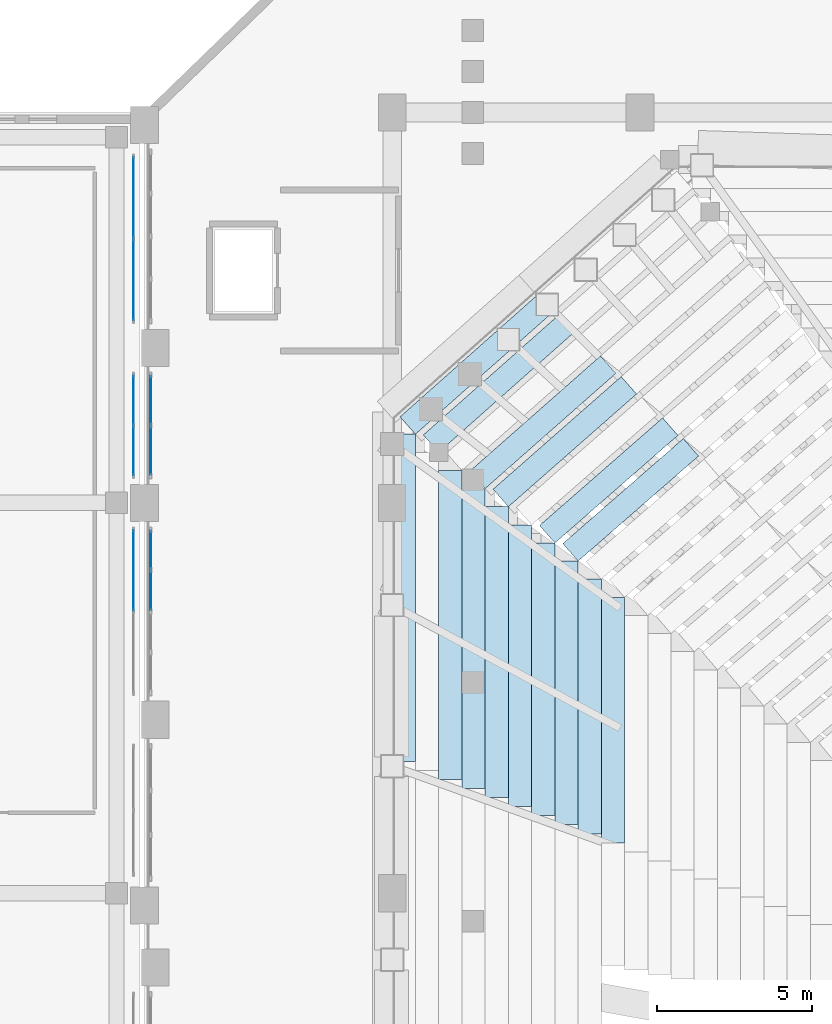
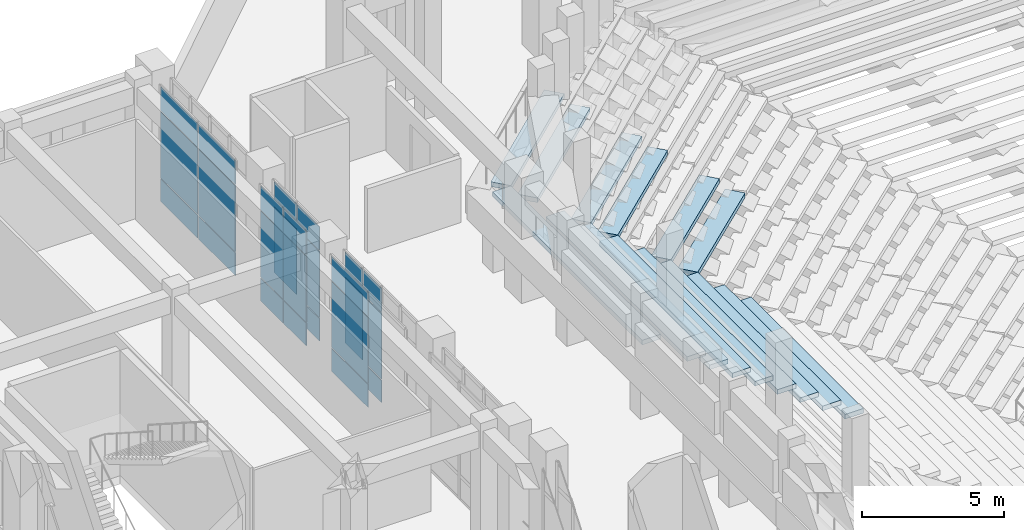
# One storey, part 100 of 159: 27 plates, 15 slabs, 5 elements without a shape of their own.
"""IFC4 building model written with IfcOpenShell, lengths in metres."""

from ifc_helpers import new_model, si_unit, derived_unit, direction, frame, origin, origin_2d, place, context, subcontext, project, spatial, polyline, rectangle, outline, extrude, material, layer, layer_set, type_object, element, aggregate, save


model = new_model("IFC4")

# Units and contexts
model_context = context("Model", 3, precision=1e-05, world=origin(), true_north=direction((0.0, 1.0)))
body_context = subcontext(model_context, "Body", "Model", "MODEL_VIEW")
ifc_project = project(units=[si_unit("LENGTHUNIT", "METRE"), si_unit("AREAUNIT", "SQUARE_METRE"), si_unit("VOLUMEUNIT", "CUBIC_METRE"), si_unit("PLANEANGLEUNIT", "RADIAN"), si_unit("MASSUNIT", "GRAM", prefix="KILO"), derived_unit("THERMALTRANSMITTANCEUNIT", [(si_unit("MASSUNIT", "GRAM", prefix="KILO"), 1), (si_unit("TIMEUNIT", "SECOND"), -3), (si_unit("THERMODYNAMICTEMPERATUREUNIT", "KELVIN"), -1)])], contexts=[model_context])

# Site, building, storey
site_placement = place(None, origin())
site = spatial("IfcSite", under=ifc_project, at=site_placement, CompositionType="ELEMENT")
building_placement = place(site_placement, origin())
building = spatial("IfcBuilding", under=site, at=building_placement, Name="Valcora Ridge Arena", CompositionType="ELEMENT")
storey_placement = place(building_placement, frame((0.0, 0.0, 6.0)))
storey = spatial("IfcBuildingStorey", under=building, at=storey_placement, Name="L01", CompositionType="ELEMENT", Elevation=6.0)

# Curtain wall, plates
ifc_material_1 = material(Name="Anodised dark bronze architectural aluminium 6063-T6", Category="aluminium")
ifc_layer_1 = layer(ifc_material_1, 0.179931640625, Name="Anodised dark bronze architectural aluminium 6063-T6")
ifc_layer_set_1 = layer_set([ifc_layer_1], Name="Anodised dark bronze architectural aluminium 6063-T6")
curtain_wall_type_1 = type_object("IfcCurtainWallType", Name="TY-CURTAINWALL-CW-V1-GOTH-053X50", PredefinedType="NOTDEFINED", material=ifc_layer_set_1)
curtain_wall_1_placement = place(storey_placement, origin())
curtain_wall_1 = element("IfcCurtainWall", 1, at=curtain_wall_1_placement, inside=storey, type_object=curtain_wall_type_1, Name="CW-V1-GOTH-053X50 CW-0095", PredefinedType="NOTDEFINED")
ifc_material_2 = material(Name="Low-iron solar-control double glazing SHGC 0.28", Category="glass")
ifc_layer_2 = layer(ifc_material_2, 0.031982421875, Name="Low-iron solar-control double glazing SHGC 0.28")
ifc_layer_set_2 = layer_set([ifc_layer_2], Name="Low-iron solar-control double glazing SHGC 0.28")
plate_type_1 = type_object("IfcPlateType", Name="TY-PLT-CWP-1240X0960", PredefinedType="CURTAIN_PANEL", material=ifc_layer_set_2)
plate_1_placement = place(storey_placement, frame((16.199951171875, 81.47998046875, 0.06005859375), z_axis=(0.0, 0.0, 1.0), x_axis=(0.0, 1.0, 0.0)))
plate_1 = element("IfcPlate", 2, at=plate_1_placement, type_object=plate_type_1, Name="CW-0095/P03-00", PredefinedType="CURTAIN_PANEL", context=body_context, shape_type="SweptSolid", body=[
    extrude(rectangle(XDim=1.239990234375, YDim=0.031982421875, at=origin_2d()), origin(), (0.0, 0.0, 1.0), 0.9599609375),
])
ifc_layer_3 = layer(ifc_material_2, 0.031982421875, Name="Low-iron solar-control double glazing SHGC 0.28")
ifc_layer_set_3 = layer_set([ifc_layer_3], Name="Low-iron solar-control double glazing SHGC 0.28")
plate_type_2 = type_object("IfcPlateType", Name="TY-PLT-CWP-1240X1010", PredefinedType="CURTAIN_PANEL", material=ifc_layer_set_3)
plate_2_placement = place(storey_placement, frame((16.199951171875, 81.47998046875, 3.97021484375), z_axis=(0.0, 0.0, 1.0), x_axis=(0.0, 1.0, 0.0)))
plate_2 = element("IfcPlate", 3, at=plate_2_placement, type_object=plate_type_2, Name="CW-0095/P03-02", PredefinedType="CURTAIN_PANEL", context=body_context, shape_type="SweptSolid", body=[
    extrude(rectangle(XDim=1.239990234375, YDim=0.031982421875, at=origin_2d()), origin(), (0.0, 0.0, 1.0), 1.010009765625),
])
ifc_layer_4 = layer(ifc_material_2, 0.031982421875, Name="Low-iron solar-control double glazing SHGC 0.28")
ifc_layer_set_4 = layer_set([ifc_layer_4], Name="Low-iron solar-control double glazing SHGC 0.28")
plate_type_3 = type_object("IfcPlateType", Name="TY-PLT-CWP-1240X2830", PredefinedType="CURTAIN_PANEL", material=ifc_layer_set_4)
plate_3_placement = place(storey_placement, frame((16.199951171875, 81.47998046875, 1.080078125), z_axis=(0.0, 0.0, 1.0), x_axis=(0.0, 1.0, 0.0)))
plate_3 = element("IfcPlate", 4, at=plate_3_placement, type_object=plate_type_3, Name="CW-0095/P03-01", PredefinedType="CURTAIN_PANEL", context=body_context, shape_type="SweptSolid", body=[
    extrude(rectangle(XDim=1.239990234375, YDim=0.031982421875, at=origin_2d()), origin(), (0.0, 0.0, 1.0), 2.830078125),
])
ifc_layer_5 = layer(ifc_material_2, 0.031982421875, Name="Low-iron solar-control double glazing SHGC 0.28")
ifc_layer_set_5 = layer_set([ifc_layer_5], Name="Low-iron solar-control double glazing SHGC 0.28")
plate_type_4 = type_object("IfcPlateType", Name="TY-PLT-CWP-1270X0960", PredefinedType="CURTAIN_PANEL", material=ifc_layer_set_5)
plate_4_placement = place(storey_placement, frame((16.199951171875, 80.1650390625, 0.06005859375), z_axis=(0.0, 0.0, 1.0), x_axis=(0.0, 1.0, 0.0)))
plate_4 = element("IfcPlate", 5, at=plate_4_placement, type_object=plate_type_4, Name="CW-0095/P02-00", PredefinedType="CURTAIN_PANEL", context=body_context, shape_type="SweptSolid", body=[
    extrude(rectangle(XDim=1.27001953125, YDim=0.031982421875, at=origin_2d()), origin(), (0.0, 0.0, 1.0), 0.9599609375),
])
ifc_layer_6 = layer(ifc_material_2, 0.031982421875, Name="Low-iron solar-control double glazing SHGC 0.28")
ifc_layer_set_6 = layer_set([ifc_layer_6], Name="Low-iron solar-control double glazing SHGC 0.28")
plate_type_5 = type_object("IfcPlateType", Name="TY-PLT-CWP-1270X1010", PredefinedType="CURTAIN_PANEL", material=ifc_layer_set_6)
plate_5_placement = place(storey_placement, frame((16.199951171875, 80.1650390625, 3.97021484375), z_axis=(0.0, 0.0, 1.0), x_axis=(0.0, 1.0, 0.0)))
plate_5 = element("IfcPlate", 6, at=plate_5_placement, type_object=plate_type_5, Name="CW-0095/P02-02", PredefinedType="CURTAIN_PANEL", context=body_context, shape_type="SweptSolid", body=[
    extrude(rectangle(XDim=1.27001953125, YDim=0.031982421875, at=origin_2d()), origin(), (0.0, 0.0, 1.0), 1.010009765625),
])
ifc_layer_7 = layer(ifc_material_2, 0.031982421875, Name="Low-iron solar-control double glazing SHGC 0.28")
ifc_layer_set_7 = layer_set([ifc_layer_7], Name="Low-iron solar-control double glazing SHGC 0.28")
plate_type_6 = type_object("IfcPlateType", Name="TY-PLT-CWP-1270X2830", PredefinedType="CURTAIN_PANEL", material=ifc_layer_set_7)
plate_6_placement = place(storey_placement, frame((16.199951171875, 80.1650390625, 1.080078125), z_axis=(0.0, 0.0, 1.0), x_axis=(0.0, 1.0, 0.0)))
plate_6 = element("IfcPlate", 7, at=plate_6_placement, type_object=plate_type_6, Name="CW-0095/P02-01", PredefinedType="CURTAIN_PANEL", context=body_context, shape_type="SweptSolid", body=[
    extrude(rectangle(XDim=1.27001953125, YDim=0.031982421875, at=origin_2d()), origin(), (0.0, 0.0, 1.0), 2.830078125),
])
aggregate(curtain_wall_1, [plate_4, plate_6, plate_5, plate_1, plate_3, plate_2])

ifc_layer_8 = layer(ifc_material_1, 0.179931640625, Name="Anodised dark bronze architectural aluminium 6063-T6")
ifc_layer_set_8 = layer_set([ifc_layer_8], Name="Anodised dark bronze architectural aluminium 6063-T6")
curtain_wall_type_2 = type_object("IfcCurtainWallType", Name="TY-CURTAINWALL-CW-V1-GOTH-033X50", PredefinedType="NOTDEFINED", material=ifc_layer_set_8)
curtain_wall_2_placement = place(storey_placement, origin())
curtain_wall_2 = element("IfcCurtainWall", 8, at=curtain_wall_2_placement, inside=storey, type_object=curtain_wall_type_2, Name="CW-V1-GOTH-033X50 CW-0096", PredefinedType="NOTDEFINED")
ifc_layer_9 = layer(ifc_material_2, 0.031982421875, Name="Low-iron solar-control double glazing SHGC 0.28")
ifc_layer_set_9 = layer_set([ifc_layer_9], Name="Low-iron solar-control double glazing SHGC 0.28")
plate_type_7 = type_object("IfcPlateType", Name="TY-PLT-CWP-1570X0960", PredefinedType="CURTAIN_PANEL", material=ifc_layer_set_9)
plate_7_placement = place(storey_placement, frame((16.199951171875, 84.68505859375, 0.06005859375), z_axis=(0.0, 0.0, 1.0), x_axis=(0.0, 1.0, 0.0)))
plate_7 = element("IfcPlate", 9, at=plate_7_placement, type_object=plate_type_7, Name="CW-0096/P00-00", PredefinedType="CURTAIN_PANEL", context=body_context, shape_type="SweptSolid", body=[
    extrude(rectangle(XDim=1.570068359375, YDim=0.031982421875, at=origin_2d()), origin(), (0.0, 0.0, 1.0), 0.9599609375),
])
plate_8_placement = place(storey_placement, frame((16.199951171875, 86.31494140625, 0.06005859375), z_axis=(0.0, 0.0, 1.0), x_axis=(0.0, 1.0, 0.0)))
plate_8 = element("IfcPlate", 10, at=plate_8_placement, type_object=plate_type_7, Name="CW-0096/P01-00", PredefinedType="CURTAIN_PANEL", context=body_context, shape_type="SweptSolid", body=[
    extrude(rectangle(XDim=1.570068359375, YDim=0.031982421875, at=origin_2d()), origin(), (0.0, 0.0, 1.0), 0.9599609375),
])
ifc_layer_10 = layer(ifc_material_2, 0.031982421875, Name="Low-iron solar-control double glazing SHGC 0.28")
ifc_layer_set_10 = layer_set([ifc_layer_10], Name="Low-iron solar-control double glazing SHGC 0.28")
plate_type_8 = type_object("IfcPlateType", Name="TY-PLT-CWP-1570X1010", PredefinedType="CURTAIN_PANEL", material=ifc_layer_set_10)
plate_9_placement = place(storey_placement, frame((16.199951171875, 84.68505859375, 3.97021484375), z_axis=(0.0, 0.0, 1.0), x_axis=(0.0, 1.0, 0.0)))
plate_9 = element("IfcPlate", 11, at=plate_9_placement, type_object=plate_type_8, Name="CW-0096/P00-02", PredefinedType="CURTAIN_PANEL", context=body_context, shape_type="SweptSolid", body=[
    extrude(rectangle(XDim=1.570068359375, YDim=0.031982421875, at=origin_2d()), origin(), (0.0, 0.0, 1.0), 1.010009765625),
])
plate_10_placement = place(storey_placement, frame((16.199951171875, 86.31494140625, 3.97021484375), z_axis=(0.0, 0.0, 1.0), x_axis=(0.0, 1.0, 0.0)))
plate_10 = element("IfcPlate", 12, at=plate_10_placement, type_object=plate_type_8, Name="CW-0096/P01-02", PredefinedType="CURTAIN_PANEL", context=body_context, shape_type="SweptSolid", body=[
    extrude(rectangle(XDim=1.570068359375, YDim=0.031982421875, at=origin_2d()), origin(), (0.0, 0.0, 1.0), 1.010009765625),
])
ifc_layer_11 = layer(ifc_material_2, 0.031982421875, Name="Low-iron solar-control double glazing SHGC 0.28")
ifc_layer_set_11 = layer_set([ifc_layer_11], Name="Low-iron solar-control double glazing SHGC 0.28")
plate_type_9 = type_object("IfcPlateType", Name="TY-PLT-CWP-1570X2830", PredefinedType="CURTAIN_PANEL", material=ifc_layer_set_11)
plate_11_placement = place(storey_placement, frame((16.199951171875, 84.68505859375, 1.080078125), z_axis=(0.0, 0.0, 1.0), x_axis=(0.0, 1.0, 0.0)))
plate_11 = element("IfcPlate", 13, at=plate_11_placement, type_object=plate_type_9, Name="CW-0096/P00-01", PredefinedType="CURTAIN_PANEL", context=body_context, shape_type="SweptSolid", body=[
    extrude(rectangle(XDim=1.570068359375, YDim=0.031982421875, at=origin_2d()), origin(), (0.0, 0.0, 1.0), 2.830078125),
])
plate_12_placement = place(storey_placement, frame((16.199951171875, 86.31494140625, 1.080078125), z_axis=(0.0, 0.0, 1.0), x_axis=(0.0, 1.0, 0.0)))
plate_12 = element("IfcPlate", 14, at=plate_12_placement, type_object=plate_type_9, Name="CW-0096/P01-01", PredefinedType="CURTAIN_PANEL", context=body_context, shape_type="SweptSolid", body=[
    extrude(rectangle(XDim=1.570068359375, YDim=0.031982421875, at=origin_2d()), origin(), (0.0, 0.0, 1.0), 2.830078125),
])
aggregate(curtain_wall_2, [plate_7, plate_11, plate_9, plate_8, plate_12, plate_10])

ifc_layer_12 = layer(ifc_material_1, 0.14990234375, Name="Anodised dark bronze architectural aluminium 6063-T6")
ifc_layer_set_12 = layer_set([ifc_layer_12], Name="Anodised dark bronze architectural aluminium 6063-T6")
curtain_wall_type_3 = type_object("IfcCurtainWallType", Name="TY-CURTAINWALL-CW-V4-CLUB-033X50", PredefinedType="NOTDEFINED", material=ifc_layer_set_12)
curtain_wall_3_placement = place(storey_placement, origin())
curtain_wall_3 = element("IfcCurtainWall", 15, at=curtain_wall_3_placement, inside=storey, type_object=curtain_wall_type_3, Name="CW-V4-CLUB-033X50 CW-0235", PredefinedType="NOTDEFINED")
ifc_layer_13 = layer(ifc_material_2, 0.028076171875, Name="Low-iron solar-control double glazing SHGC 0.28")
ifc_layer_set_13 = layer_set([ifc_layer_13], Name="Low-iron solar-control double glazing SHGC 0.28")
plate_type_10 = type_object("IfcPlateType", Name="TY-PLT-CWP-1585X0975", PredefinedType="CURTAIN_PANEL", material=ifc_layer_set_13)
plate_13_placement = place(storey_placement, frame((15.64990234375, 84.6826171875, 0.050048828125), z_axis=(0.0, 0.0, 1.0), x_axis=(0.0, 1.0, 0.0)))
plate_13 = element("IfcPlate", 16, at=plate_13_placement, type_object=plate_type_10, Name="CW-0235/P00-00", PredefinedType="CURTAIN_PANEL", context=body_context, shape_type="SweptSolid", body=[
    extrude(rectangle(XDim=1.5849609375, YDim=0.028076171875, at=origin_2d()), origin(), (0.0, 0.0, 1.0), 0.97509765625),
])
plate_14_placement = place(storey_placement, frame((15.64990234375, 86.3173828125, 0.050048828125), z_axis=(0.0, 0.0, 1.0), x_axis=(0.0, 1.0, 0.0)))
plate_14 = element("IfcPlate", 17, at=plate_14_placement, type_object=plate_type_10, Name="CW-0235/P01-00", PredefinedType="CURTAIN_PANEL", context=body_context, shape_type="SweptSolid", body=[
    extrude(rectangle(XDim=1.5849609375, YDim=0.028076171875, at=origin_2d()), origin(), (0.0, 0.0, 1.0), 0.97509765625),
])
ifc_layer_14 = layer(ifc_material_2, 0.028076171875, Name="Low-iron solar-control double glazing SHGC 0.28")
ifc_layer_set_14 = layer_set([ifc_layer_14], Name="Low-iron solar-control double glazing SHGC 0.28")
plate_type_11 = type_object("IfcPlateType", Name="TY-PLT-CWP-1585X1025", PredefinedType="CURTAIN_PANEL", material=ifc_layer_set_14)
plate_15_placement = place(storey_placement, frame((15.64990234375, 84.6826171875, 3.965087890625), z_axis=(0.0, 0.0, 1.0), x_axis=(0.0, 1.0, 0.0)))
plate_15 = element("IfcPlate", 18, at=plate_15_placement, type_object=plate_type_11, Name="CW-0235/P00-02", PredefinedType="CURTAIN_PANEL", context=body_context, shape_type="SweptSolid", body=[
    extrude(rectangle(XDim=1.5849609375, YDim=0.028076171875, at=origin_2d()), origin(), (0.0, 0.0, 1.0), 1.02490234375),
])
plate_16_placement = place(storey_placement, frame((15.64990234375, 86.3173828125, 3.965087890625), z_axis=(0.0, 0.0, 1.0), x_axis=(0.0, 1.0, 0.0)))
plate_16 = element("IfcPlate", 19, at=plate_16_placement, type_object=plate_type_11, Name="CW-0235/P01-02", PredefinedType="CURTAIN_PANEL", context=body_context, shape_type="SweptSolid", body=[
    extrude(rectangle(XDim=1.5849609375, YDim=0.028076171875, at=origin_2d()), origin(), (0.0, 0.0, 1.0), 1.02490234375),
])
ifc_layer_15 = layer(ifc_material_2, 0.028076171875, Name="Low-iron solar-control double glazing SHGC 0.28")
ifc_layer_set_15 = layer_set([ifc_layer_15], Name="Low-iron solar-control double glazing SHGC 0.28")
plate_type_12 = type_object("IfcPlateType", Name="TY-PLT-CWP-1585X2840", PredefinedType="CURTAIN_PANEL", material=ifc_layer_set_15)
plate_17_placement = place(storey_placement, frame((15.64990234375, 84.6826171875, 1.0751953125), z_axis=(0.0, 0.0, 1.0), x_axis=(0.0, 1.0, 0.0)))
plate_17 = element("IfcPlate", 20, at=plate_17_placement, type_object=plate_type_12, Name="CW-0235/P00-01", PredefinedType="CURTAIN_PANEL", context=body_context, shape_type="SweptSolid", body=[
    extrude(rectangle(XDim=1.5849609375, YDim=0.028076171875, at=origin_2d()), origin(), (0.0, 0.0, 1.0), 2.840087890625),
])
plate_18_placement = place(storey_placement, frame((15.64990234375, 86.3173828125, 1.0751953125), z_axis=(0.0, 0.0, 1.0), x_axis=(0.0, 1.0, 0.0)))
plate_18 = element("IfcPlate", 21, at=plate_18_placement, type_object=plate_type_12, Name="CW-0235/P01-01", PredefinedType="CURTAIN_PANEL", context=body_context, shape_type="SweptSolid", body=[
    extrude(rectangle(XDim=1.5849609375, YDim=0.028076171875, at=origin_2d()), origin(), (0.0, 0.0, 1.0), 2.840087890625),
])
aggregate(curtain_wall_3, [plate_13, plate_17, plate_15, plate_14, plate_18, plate_16])

ifc_layer_16 = layer(ifc_material_1, 0.14990234375, Name="Anodised dark bronze architectural aluminium 6063-T6")
ifc_layer_set_16 = layer_set([ifc_layer_16], Name="Anodised dark bronze architectural aluminium 6063-T6")
curtain_wall_type_4 = type_object("IfcCurtainWallType", Name="TY-CURTAINWALL-CW-V4-CLUB-053X50", PredefinedType="NOTDEFINED", material=ifc_layer_set_16)
curtain_wall_4_placement = place(storey_placement, origin())
curtain_wall_4 = element("IfcCurtainWall", 22, at=curtain_wall_4_placement, inside=storey, type_object=curtain_wall_type_4, Name="CW-V4-CLUB-053X50 CW-0234", PredefinedType="NOTDEFINED")
ifc_layer_17 = layer(ifc_material_2, 0.028076171875, Name="Low-iron solar-control double glazing SHGC 0.28")
ifc_layer_set_17 = layer_set([ifc_layer_17], Name="Low-iron solar-control double glazing SHGC 0.28")
plate_type_13 = type_object("IfcPlateType", Name="TY-PLT-CWP-2585X0975", PredefinedType="CURTAIN_PANEL", material=ifc_layer_set_17)
plate_19_placement = place(storey_placement, frame((15.64990234375, 80.8173828125, 0.050048828125), z_axis=(0.0, 0.0, 1.0), x_axis=(0.0, 1.0, 0.0)))
plate_19 = element("IfcPlate", 23, at=plate_19_placement, type_object=plate_type_13, Name="CW-0234/P01-00", PredefinedType="CURTAIN_PANEL", context=body_context, shape_type="SweptSolid", body=[
    extrude(rectangle(XDim=2.5849609375, YDim=0.028076171875, at=origin_2d()), origin(), (0.0, 0.0, 1.0), 0.97509765625),
])
ifc_layer_18 = layer(ifc_material_2, 0.028076171875, Name="Low-iron solar-control double glazing SHGC 0.28")
ifc_layer_set_18 = layer_set([ifc_layer_18], Name="Low-iron solar-control double glazing SHGC 0.28")
plate_type_14 = type_object("IfcPlateType", Name="TY-PLT-CWP-2585X1025", PredefinedType="CURTAIN_PANEL", material=ifc_layer_set_18)
plate_20_placement = place(storey_placement, frame((15.64990234375, 80.8173828125, 3.965087890625), z_axis=(0.0, 0.0, 1.0), x_axis=(0.0, 1.0, 0.0)))
plate_20 = element("IfcPlate", 24, at=plate_20_placement, type_object=plate_type_14, Name="CW-0234/P01-02", PredefinedType="CURTAIN_PANEL", context=body_context, shape_type="SweptSolid", body=[
    extrude(rectangle(XDim=2.5849609375, YDim=0.028076171875, at=origin_2d()), origin(), (0.0, 0.0, 1.0), 1.02490234375),
])
ifc_layer_19 = layer(ifc_material_2, 0.028076171875, Name="Low-iron solar-control double glazing SHGC 0.28")
ifc_layer_set_19 = layer_set([ifc_layer_19], Name="Low-iron solar-control double glazing SHGC 0.28")
plate_type_15 = type_object("IfcPlateType", Name="TY-PLT-CWP-2585X2840", PredefinedType="CURTAIN_PANEL", material=ifc_layer_set_19)
plate_21_placement = place(storey_placement, frame((15.64990234375, 80.8173828125, 1.0751953125), z_axis=(0.0, 0.0, 1.0), x_axis=(0.0, 1.0, 0.0)))
plate_21 = element("IfcPlate", 25, at=plate_21_placement, type_object=plate_type_15, Name="CW-0234/P01-01", PredefinedType="CURTAIN_PANEL", context=body_context, shape_type="SweptSolid", body=[
    extrude(rectangle(XDim=2.5849609375, YDim=0.028076171875, at=origin_2d()), origin(), (0.0, 0.0, 1.0), 2.840087890625),
])
aggregate(curtain_wall_4, [plate_19, plate_21, plate_20])

ifc_layer_20 = layer(ifc_material_1, 0.14990234375, Name="Anodised dark bronze architectural aluminium 6063-T6")
ifc_layer_set_20 = layer_set([ifc_layer_20], Name="Anodised dark bronze architectural aluminium 6063-T6")
curtain_wall_type_5 = type_object("IfcCurtainWallType", Name="TY-CURTAINWALL-CW-V4-CLUB-054X50", PredefinedType="NOTDEFINED", material=ifc_layer_set_20)
curtain_wall_5_placement = place(storey_placement, origin())
curtain_wall_5 = element("IfcCurtainWall", 26, at=curtain_wall_5_placement, inside=storey, type_object=curtain_wall_type_5, Name="CW-V4-CLUB-054X50 CW-0236", PredefinedType="NOTDEFINED")
ifc_layer_21 = layer(ifc_material_2, 0.028076171875, Name="Low-iron solar-control double glazing SHGC 0.28")
ifc_layer_set_21 = layer_set([ifc_layer_21], Name="Low-iron solar-control double glazing SHGC 0.28")
plate_type_16 = type_object("IfcPlateType", Name="TY-PLT-CWP-2610X0975", PredefinedType="CURTAIN_PANEL", material=ifc_layer_set_21)
plate_22_placement = place(storey_placement, frame((15.64990234375, 90.195068359375, 0.050048828125), z_axis=(0.0, 0.0, 1.0), x_axis=(0.0, 1.0, 0.0)))
plate_22 = element("IfcPlate", 27, at=plate_22_placement, type_object=plate_type_16, Name="CW-0236/P00-00", PredefinedType="CURTAIN_PANEL", context=body_context, shape_type="SweptSolid", body=[
    extrude(rectangle(XDim=2.610107421875, YDim=0.028076171875, at=origin_2d()), origin(), (0.0, 0.0, 1.0), 0.97509765625),
])
plate_23_placement = place(storey_placement, frame((15.64990234375, 92.85498046875, 0.050048828125), z_axis=(0.0, 0.0, 1.0), x_axis=(0.0, 1.0, 0.0)))
plate_23 = element("IfcPlate", 28, at=plate_23_placement, type_object=plate_type_16, Name="CW-0236/P01-00", PredefinedType="CURTAIN_PANEL", context=body_context, shape_type="SweptSolid", body=[
    extrude(rectangle(XDim=2.610107421875, YDim=0.028076171875, at=origin_2d()), origin(), (0.0, 0.0, 1.0), 0.97509765625),
])
ifc_layer_22 = layer(ifc_material_2, 0.028076171875, Name="Low-iron solar-control double glazing SHGC 0.28")
ifc_layer_set_22 = layer_set([ifc_layer_22], Name="Low-iron solar-control double glazing SHGC 0.28")
plate_type_17 = type_object("IfcPlateType", Name="TY-PLT-CWP-2610X1025", PredefinedType="CURTAIN_PANEL", material=ifc_layer_set_22)
plate_24_placement = place(storey_placement, frame((15.64990234375, 90.195068359375, 3.965087890625), z_axis=(0.0, 0.0, 1.0), x_axis=(0.0, 1.0, 0.0)))
plate_24 = element("IfcPlate", 29, at=plate_24_placement, type_object=plate_type_17, Name="CW-0236/P00-02", PredefinedType="CURTAIN_PANEL", context=body_context, shape_type="SweptSolid", body=[
    extrude(rectangle(XDim=2.610107421875, YDim=0.028076171875, at=origin_2d()), origin(), (0.0, 0.0, 1.0), 1.02490234375),
])
plate_25_placement = place(storey_placement, frame((15.64990234375, 92.85498046875, 3.965087890625), z_axis=(0.0, 0.0, 1.0), x_axis=(0.0, 1.0, 0.0)))
plate_25 = element("IfcPlate", 30, at=plate_25_placement, type_object=plate_type_17, Name="CW-0236/P01-02", PredefinedType="CURTAIN_PANEL", context=body_context, shape_type="SweptSolid", body=[
    extrude(rectangle(XDim=2.610107421875, YDim=0.028076171875, at=origin_2d()), origin(), (0.0, 0.0, 1.0), 1.02490234375),
])
ifc_layer_23 = layer(ifc_material_2, 0.028076171875, Name="Low-iron solar-control double glazing SHGC 0.28")
ifc_layer_set_23 = layer_set([ifc_layer_23], Name="Low-iron solar-control double glazing SHGC 0.28")
plate_type_18 = type_object("IfcPlateType", Name="TY-PLT-CWP-2610X2840", PredefinedType="CURTAIN_PANEL", material=ifc_layer_set_23)
plate_26_placement = place(storey_placement, frame((15.64990234375, 90.195068359375, 1.0751953125), z_axis=(0.0, 0.0, 1.0), x_axis=(0.0, 1.0, 0.0)))
plate_26 = element("IfcPlate", 31, at=plate_26_placement, type_object=plate_type_18, Name="CW-0236/P00-01", PredefinedType="CURTAIN_PANEL", context=body_context, shape_type="SweptSolid", body=[
    extrude(rectangle(XDim=2.610107421875, YDim=0.028076171875, at=origin_2d()), origin(), (0.0, 0.0, 1.0), 2.840087890625),
])
plate_27_placement = place(storey_placement, frame((15.64990234375, 92.85498046875, 1.0751953125), z_axis=(0.0, 0.0, 1.0), x_axis=(0.0, 1.0, 0.0)))
plate_27 = element("IfcPlate", 32, at=plate_27_placement, type_object=plate_type_18, Name="CW-0236/P01-01", PredefinedType="CURTAIN_PANEL", context=body_context, shape_type="SweptSolid", body=[
    extrude(rectangle(XDim=2.610107421875, YDim=0.028076171875, at=origin_2d()), origin(), (0.0, 0.0, 1.0), 2.840087890625),
])
aggregate(curtain_wall_5, [plate_22, plate_26, plate_24, plate_23, plate_27, plate_25])

# Slabs
ifc_material_3 = material(Name="Precast concrete C45/55", Category="concrete")
ifc_layer_24 = layer(ifc_material_3, 0.199951171875, Name="Precast concrete C45/55")
ifc_layer_set_24 = layer_set([ifc_layer_24], Name="Precast concrete C45/55")
slab_type_1 = type_object("IfcSlabType", Name="TY-SLAB-ST-LOW-L052", PredefinedType="USERDEFINED", material=ifc_layer_set_24)
slab_1_placement = place(storey_placement, frame((0.0, 0.0, -0.320068359375)))
element("IfcSlab", 33, at=slab_1_placement, inside=storey, type_object=slab_type_1, Name="ST-LOW-L052 SLB-TR-0306", ObjectType="SEATING TIER", PredefinedType="USERDEFINED", context=body_context, shape_type="SweptSolid", body=[
    extrude(outline(polyline([(33.889892578125, 84.510009765625), (30.0, 81.1201171875), (29.50732421875, 81.685302734375), (33.397216796875, 85.075439453125), (33.889892578125, 84.510009765625)])), origin(), (0.0, 0.0, 1.0), 0.199951171875),
])
ifc_layer_25 = layer(ifc_material_3, 0.199951171875, Name="Precast concrete C45/55")
ifc_layer_set_25 = layer_set([ifc_layer_25], Name="Precast concrete C45/55")
slab_type_2 = type_object("IfcSlabType", Name="TY-SLAB-ST-LOW-L053", PredefinedType="USERDEFINED", material=ifc_layer_set_25)
slab_2_placement = place(storey_placement, frame((0.0, 0.0, 0.1201171875)))
element("IfcSlab", 34, at=slab_2_placement, inside=storey, type_object=slab_type_2, Name="ST-LOW-L053 SLB-TR-0330", ObjectType="SEATING TIER", PredefinedType="USERDEFINED", context=body_context, shape_type="SweptSolid", body=[
    extrude(outline(polyline([(33.222412109375, 85.177490234375), (29.25, 81.705078125), (28.75634765625, 82.269775390625), (32.72900390625, 85.7421875), (33.222412109375, 85.177490234375)])), origin(), (0.0, 0.0, 1.0), 0.199951171875),
])
ifc_layer_26 = layer(ifc_material_3, 0.199951171875, Name="Precast concrete C45/55")
ifc_layer_set_26 = layer_set([ifc_layer_26], Name="Precast concrete C45/55")
slab_type_3 = type_object("IfcSlabType", Name="TY-SLAB-ST-LOW-L055", PredefinedType="USERDEFINED", material=ifc_layer_set_26)
slab_3_placement = place(storey_placement, frame((0.0, 0.0, 1.0)))
element("IfcSlab", 35, at=slab_3_placement, inside=storey, type_object=slab_type_3, Name="ST-LOW-L055 SLB-TR-0378", ObjectType="SEATING TIER", PredefinedType="USERDEFINED", context=body_context, shape_type="SweptSolid", body=[
    extrude(outline(polyline([(31.887451171875, 86.512451171875), (27.75, 82.875), (27.2548828125, 83.438232421875), (31.392333984375, 87.07568359375), (31.887451171875, 86.512451171875)])), origin(), (0.0, 0.0, 1.0), 0.199951171875),
])
ifc_layer_27 = layer(ifc_material_3, 0.199951171875, Name="Precast concrete C45/55")
ifc_layer_set_27 = layer_set([ifc_layer_27], Name="Precast concrete C45/55")
slab_type_4 = type_object("IfcSlabType", Name="TY-SLAB-ST-LOW-L056", PredefinedType="USERDEFINED", material=ifc_layer_set_27)
slab_4_placement = place(storey_placement, frame((0.0, 0.0, 1.43994140625)))
element("IfcSlab", 36, at=slab_4_placement, inside=storey, type_object=slab_type_4, Name="ST-LOW-L056 SLB-TR-0402", ObjectType="SEATING TIER", PredefinedType="USERDEFINED", context=body_context, shape_type="SweptSolid", body=[
    extrude(outline(polyline([(31.219970703125, 87.179931640625), (27.0, 83.4599609375), (26.50390625, 84.022705078125), (30.72412109375, 87.74267578125), (31.219970703125, 87.179931640625)])), origin(), (0.0, 0.0, 1.0), 0.199951171875),
])
ifc_layer_28 = layer(ifc_material_3, 0.199951171875, Name="Precast concrete C45/55")
ifc_layer_set_28 = layer_set([ifc_layer_28], Name="Precast concrete C45/55")
slab_type_5 = type_object("IfcSlabType", Name="TY-SLAB-ST-LOW-L059", PredefinedType="USERDEFINED", material=ifc_layer_set_28)
slab_5_placement = place(storey_placement, frame((0.0, 0.0, 2.320068359375)))
element("IfcSlab", 37, at=slab_5_placement, inside=storey, type_object=slab_type_5, Name="ST-LOW-L059 SLB-TR-0450", ObjectType="SEATING TIER", PredefinedType="USERDEFINED", context=body_context, shape_type="SweptSolid", body=[
    extrude(outline(polyline([(29.885009765625, 88.514892578125), (25.5, 84.6298828125), (25.002685546875, 85.19140625), (29.3876953125, 89.076416015625), (29.885009765625, 88.514892578125)])), origin(), (0.0, 0.0, 1.0), 0.199951171875),
])
ifc_layer_29 = layer(ifc_material_3, 0.199951171875, Name="Precast concrete C45/55")
ifc_layer_set_29 = layer_set([ifc_layer_29], Name="Precast concrete C45/55")
slab_type_6 = type_object("IfcSlabType", Name="TY-SLAB-ST-LOW-L060", PredefinedType="USERDEFINED", material=ifc_layer_set_29)
slab_6_placement = place(storey_placement, frame((0.0, 0.0, 2.760009765625)))
element("IfcSlab", 38, at=slab_6_placement, inside=storey, type_object=slab_type_6, Name="ST-LOW-L060 SLB-TR-0474", ObjectType="SEATING TIER", PredefinedType="USERDEFINED", context=body_context, shape_type="SweptSolid", body=[
    extrude(outline(polyline([(29.217529296875, 89.1826171875), (24.75, 85.215087890625), (24.251953125, 85.77587890625), (28.719482421875, 89.743408203125), (29.217529296875, 89.1826171875)])), origin(), (0.0, 0.0, 1.0), 0.199951171875),
])
ifc_layer_30 = layer(ifc_material_3, 0.199951171875, Name="Precast concrete C45/55")
ifc_layer_set_30 = layer_set([ifc_layer_30], Name="Precast concrete C45/55")
slab_type_7 = type_object("IfcSlabType", Name="TY-SLAB-ST-LOW-L079", PredefinedType="USERDEFINED", material=ifc_layer_set_30)
slab_7_placement = place(storey_placement, frame((0.0, 0.0, -1.199951171875)))
element("IfcSlab", 39, at=slab_7_placement, inside=storey, type_object=slab_type_7, Name="ST-LOW-L079 SLB-TR-0259", ObjectType="SEATING TIER", PredefinedType="USERDEFINED", context=body_context, shape_type="SweptSolid", body=[
    extrude(outline(polyline([(31.5, 79.949951171875), (31.5, 72.02490234375), (30.75, 72.02490234375), (30.75, 79.949951171875), (31.5, 79.949951171875)])), origin(), (0.0, 0.0, 1.0), 0.199951171875),
])
ifc_layer_31 = layer(ifc_material_3, 0.199951171875, Name="Precast concrete C45/55")
ifc_layer_set_31 = layer_set([ifc_layer_31], Name="Precast concrete C45/55")
slab_type_8 = type_object("IfcSlabType", Name="TY-SLAB-ST-LOW-L082", PredefinedType="USERDEFINED", material=ifc_layer_set_31)
slab_8_placement = place(storey_placement, frame((0.0, 0.0, -0.760009765625)))
element("IfcSlab", 40, at=slab_8_placement, inside=storey, type_object=slab_type_8, Name="ST-LOW-L082 SLB-TR-0283", ObjectType="SEATING TIER", PredefinedType="USERDEFINED", context=body_context, shape_type="SweptSolid", body=[
    extrude(outline(polyline([(30.75, 80.534912109375), (30.75, 72.3173828125), (30.0, 72.3173828125), (30.0, 80.534912109375), (30.75, 80.534912109375)])), origin(), (0.0, 0.0, 1.0), 0.199951171875),
])
ifc_layer_32 = layer(ifc_material_3, 0.199951171875, Name="Precast concrete C45/55")
ifc_layer_set_32 = layer_set([ifc_layer_32], Name="Precast concrete C45/55")
slab_type_9 = type_object("IfcSlabType", Name="TY-SLAB-ST-LOW-L085", PredefinedType="USERDEFINED", material=ifc_layer_set_32)
slab_9_placement = place(storey_placement, frame((0.0, 0.0, -0.320068359375)))
element("IfcSlab", 41, at=slab_9_placement, inside=storey, type_object=slab_type_9, Name="ST-LOW-L085 SLB-TR-0307", ObjectType="SEATING TIER", PredefinedType="USERDEFINED", context=body_context, shape_type="SweptSolid", body=[
    extrude(outline(polyline([(30.0, 81.1201171875), (30.0, 72.610107421875), (29.25, 72.610107421875), (29.25, 81.1201171875), (30.0, 81.1201171875)])), origin(), (0.0, 0.0, 1.0), 0.199951171875),
])
ifc_layer_33 = layer(ifc_material_3, 0.199951171875, Name="Precast concrete C45/55")
ifc_layer_set_33 = layer_set([ifc_layer_33], Name="Precast concrete C45/55")
slab_type_10 = type_object("IfcSlabType", Name="TY-SLAB-ST-LOW-L088", PredefinedType="USERDEFINED", material=ifc_layer_set_33)
slab_10_placement = place(storey_placement, frame((0.0, 0.0, 0.1201171875)))
element("IfcSlab", 42, at=slab_10_placement, inside=storey, type_object=slab_type_10, Name="ST-LOW-L088 SLB-TR-0331", ObjectType="SEATING TIER", PredefinedType="USERDEFINED", context=body_context, shape_type="SweptSolid", body=[
    extrude(outline(polyline([(29.25, 81.705078125), (29.25, 72.902587890625), (28.5, 72.902587890625), (28.5, 81.705078125), (29.25, 81.705078125)])), origin(), (0.0, 0.0, 1.0), 0.199951171875),
])
ifc_layer_34 = layer(ifc_material_3, 0.199951171875, Name="Precast concrete C45/55")
ifc_layer_set_34 = layer_set([ifc_layer_34], Name="Precast concrete C45/55")
slab_type_11 = type_object("IfcSlabType", Name="TY-SLAB-ST-LOW-L091", PredefinedType="USERDEFINED", material=ifc_layer_set_34)
slab_11_placement = place(storey_placement, frame((0.0, 0.0, 0.56005859375)))
element("IfcSlab", 43, at=slab_11_placement, inside=storey, type_object=slab_type_11, Name="ST-LOW-L091 SLB-TR-0355", ObjectType="SEATING TIER", PredefinedType="USERDEFINED", context=body_context, shape_type="SweptSolid", body=[
    extrude(outline(polyline([(28.5, 82.2900390625), (28.5, 73.195068359375), (27.75, 73.195068359375), (27.75, 82.2900390625), (28.5, 82.2900390625)])), origin(), (0.0, 0.0, 1.0), 0.199951171875),
])
ifc_layer_35 = layer(ifc_material_3, 0.199951171875, Name="Precast concrete C45/55")
ifc_layer_set_35 = layer_set([ifc_layer_35], Name="Precast concrete C45/55")
slab_type_12 = type_object("IfcSlabType", Name="TY-SLAB-ST-LOW-L094", PredefinedType="USERDEFINED", material=ifc_layer_set_35)
slab_12_placement = place(storey_placement, frame((0.0, 0.0, 1.0)))
element("IfcSlab", 44, at=slab_12_placement, inside=storey, type_object=slab_type_12, Name="ST-LOW-L094 SLB-TR-0379", ObjectType="SEATING TIER", PredefinedType="USERDEFINED", context=body_context, shape_type="SweptSolid", body=[
    extrude(outline(polyline([(27.75, 82.875), (27.75, 73.487548828125), (27.0, 73.487548828125), (27.0, 82.875), (27.75, 82.875)])), origin(), (0.0, 0.0, 1.0), 0.199951171875),
])
ifc_layer_36 = layer(ifc_material_3, 0.199951171875, Name="Precast concrete C45/55")
ifc_layer_set_36 = layer_set([ifc_layer_36], Name="Precast concrete C45/55")
slab_type_13 = type_object("IfcSlabType", Name="TY-SLAB-ST-LOW-L097", PredefinedType="USERDEFINED", material=ifc_layer_set_36)
slab_13_placement = place(storey_placement, frame((0.0, 0.0, 1.43994140625)))
element("IfcSlab", 45, at=slab_13_placement, inside=storey, type_object=slab_type_13, Name="ST-LOW-L097 SLB-TR-0403", ObjectType="SEATING TIER", PredefinedType="USERDEFINED", context=body_context, shape_type="SweptSolid", body=[
    extrude(outline(polyline([(27.0, 83.4599609375), (27.0, 73.780029296875), (26.25, 73.780029296875), (26.25, 83.4599609375), (27.0, 83.4599609375)])), origin(), (0.0, 0.0, 1.0), 0.199951171875),
])
ifc_layer_37 = layer(ifc_material_3, 0.199951171875, Name="Precast concrete C45/55")
ifc_layer_set_37 = layer_set([ifc_layer_37], Name="Precast concrete C45/55")
slab_type_14 = type_object("IfcSlabType", Name="TY-SLAB-ST-LOW-L100", PredefinedType="USERDEFINED", material=ifc_layer_set_37)
slab_14_placement = place(storey_placement, frame((0.0, 0.0, 1.8798828125)))
element("IfcSlab", 46, at=slab_14_placement, inside=storey, type_object=slab_type_14, Name="ST-LOW-L100 SLB-TR-0427", ObjectType="SEATING TIER", PredefinedType="USERDEFINED", context=body_context, shape_type="SweptSolid", body=[
    extrude(outline(polyline([(26.25, 84.044921875), (26.25, 74.072509765625), (25.5, 74.072509765625), (25.5, 84.044921875), (26.25, 84.044921875)])), origin(), (0.0, 0.0, 1.0), 0.2001953125),
])
ifc_layer_38 = layer(ifc_material_3, 0.199951171875, Name="Precast concrete C45/55")
ifc_layer_set_38 = layer_set([ifc_layer_38], Name="Precast concrete C45/55")
slab_type_15 = type_object("IfcSlabType", Name="TY-SLAB-ST-LOW-L106", PredefinedType="USERDEFINED", material=ifc_layer_set_38)
slab_15_placement = place(storey_placement, frame((0.0, 0.0, 2.760009765625)))
element("IfcSlab", 47, at=slab_15_placement, inside=storey, type_object=slab_type_15, Name="ST-LOW-L106 SLB-TR-0475", ObjectType="SEATING TIER", PredefinedType="USERDEFINED", context=body_context, shape_type="SweptSolid", body=[
    extrude(outline(polyline([(24.75, 85.215087890625), (24.75, 74.657470703125), (24.0, 74.657470703125), (24.0, 85.215087890625), (24.75, 85.215087890625)])), origin(), (0.0, 0.0, 1.0), 0.199951171875),
])

save(model, "model.ifc")
